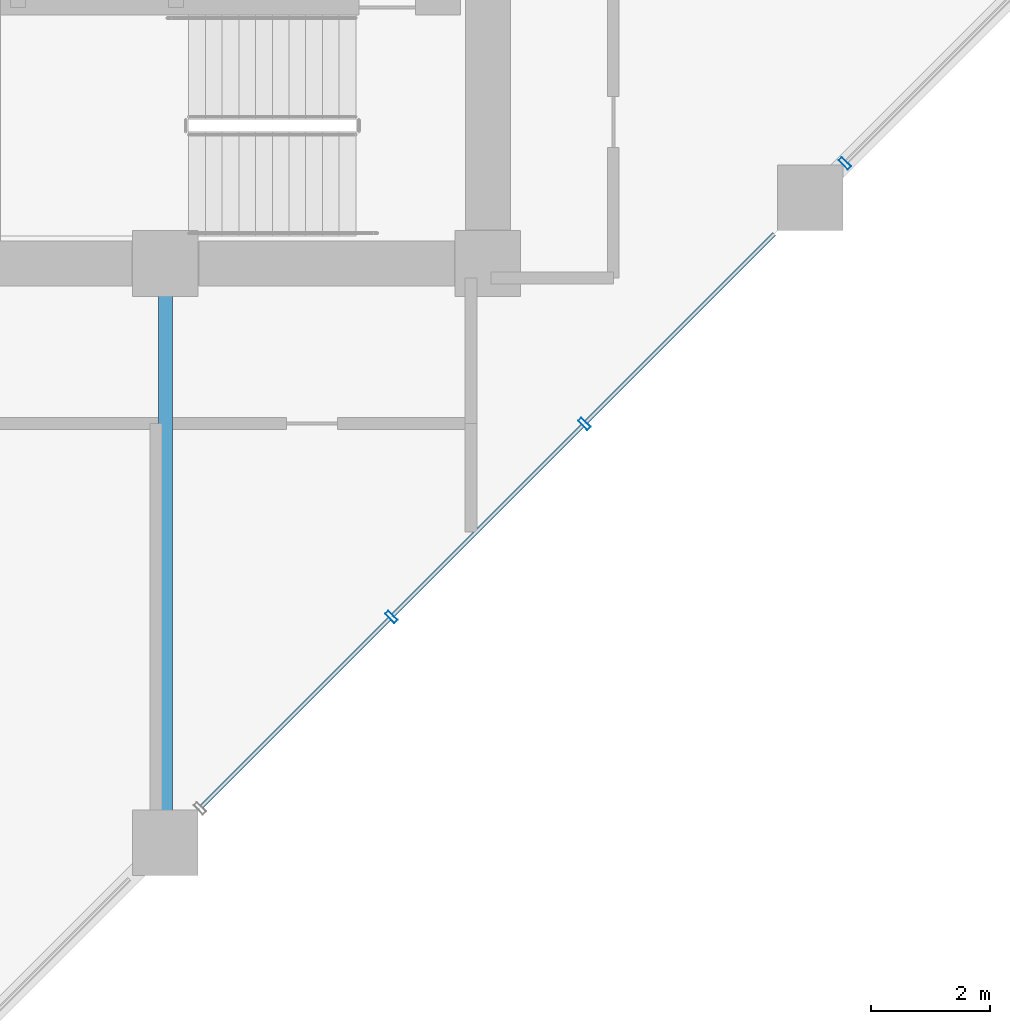
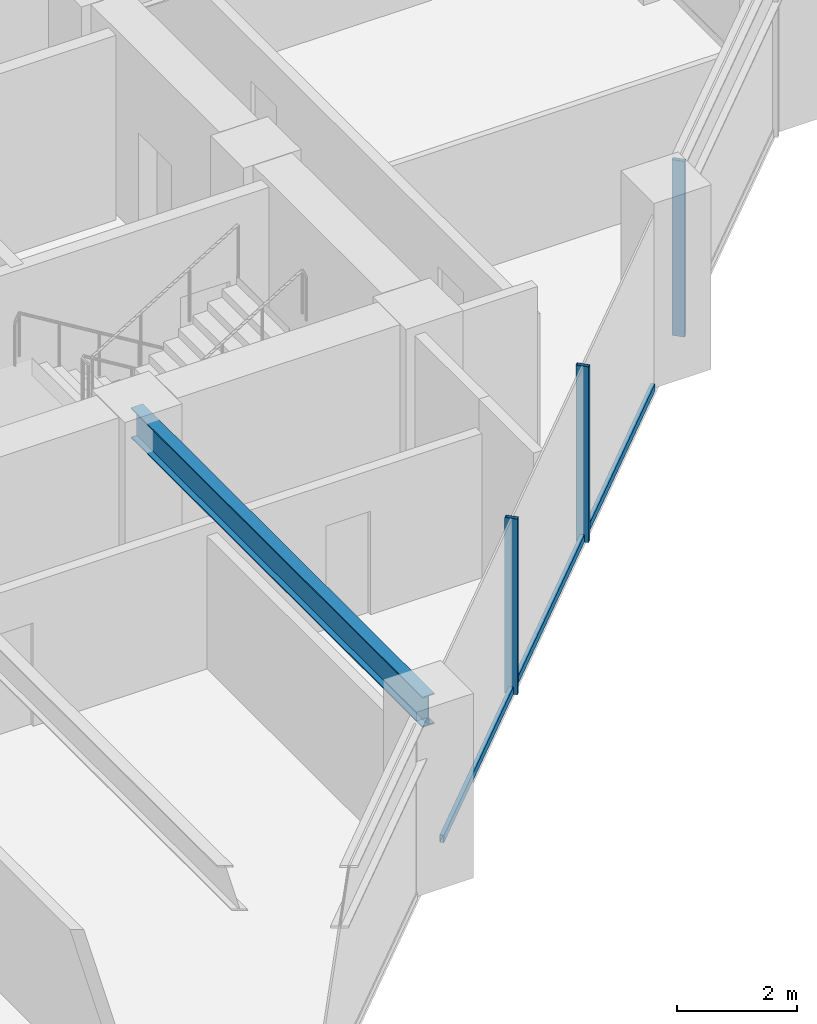
# One storey, part 9 of 29: 6 members, 1 beam, 1 element without a shape of its own.
"""IFC4 building model written with IfcOpenShell, lengths in metres."""

import ifcopenshell
import ifcopenshell.guid

model = None  # the IFC model being written
_history = None  # IfcOwnerHistory: only IFC2X3 demands one
_inside = {}  # id of a spatial element -> (the spatial element, [elements in it])
_under = {}  # id of a project, library or spatial element -> (it, [spatial elements below it])
_declared = {}  # id of a project -> (the project, [libraries it declares])
_typed = {}  # id of a type object -> (the type object, [elements of that type])
_made_of = {}  # id of a material, layer set ... -> (it, [elements and type objects made of it])


def new_model(schema):
    """Start an empty IFC model of exactly this schema.

    Asked for "IFC4X3", IfcOpenShell would pick the latest addendum, in which some entities
    have other attributes; the version numbers below select the first issue.
    IFC2X3 requires an IfcOwnerHistory on every rooted entity: one is made here for all.
    """
    global model, _history
    if schema == "IFC4X3":
        model = ifcopenshell.file(schema_version=(4, 3, 0, 0))
    else:
        model = ifcopenshell.file(schema=schema)
    _inside.clear()
    _under.clear()
    _declared.clear()
    _typed.clear()
    _made_of.clear()
    _history = None
    if model.schema == "IFC2X3":
        org = make("IfcOrganization", Name="unknown")
        user = make(
            "IfcPersonAndOrganization",
            ThePerson=make("IfcPerson", FamilyName="unknown"),
            TheOrganization=org,
        )
        app = make(
            "IfcApplication",
            ApplicationDeveloper=org,
            Version="unknown",
            ApplicationFullName="unknown",
            ApplicationIdentifier="unknown",
        )
        _history = make(
            "IfcOwnerHistory",
            OwningUser=user,
            OwningApplication=app,
            ChangeAction="ADDED",
            CreationDate=0,
        )
    return model


def make(cls, **values):
    """One entity of the class cls with the attributes given. An attribute that is None is left unset."""
    return model.create_entity(
        cls, **{name: value for name, value in values.items() if value is not None}
    )


def rooted(cls, **values):
    """An entity with a GlobalId (a new one), such as an element, a storey or a relation."""
    return make(cls, GlobalId=ifcopenshell.guid.new(), OwnerHistory=_history, **values)


def si_unit(unit_type, name, prefix=None):
    """IfcSIUnit, for example si_unit("LENGTHUNIT", "METRE", prefix="MILLI")."""
    return make("IfcSIUnit", UnitType=unit_type, Prefix=prefix, Name=name)


def assignment(units):
    """IfcUnitAssignment: the units of a project."""
    return None if units is None else make("IfcUnitAssignment", Units=units)


def point(xyz):
    """IfcCartesianPoint."""
    return None if xyz is None else make("IfcCartesianPoint", Coordinates=xyz)


def direction(xyz):
    """IfcDirection."""
    return None if xyz is None else make("IfcDirection", DirectionRatios=xyz)


def frame(location, z_axis=None, x_axis=None):
    """IfcAxis2Placement3D, a coordinate frame: its origin and axes. An axis left out is left unset."""
    return make(
        "IfcAxis2Placement3D",
        Location=point(location),
        Axis=direction(z_axis),
        RefDirection=direction(x_axis),
    )


def frame_2d(location, x_axis=None):
    """IfcAxis2Placement2D, a coordinate frame in the plane: its origin and x axis."""
    return make(
        "IfcAxis2Placement2D", Location=point(location), RefDirection=direction(x_axis)
    )


def origin():
    """The frame at (0, 0, 0) with its axes left unset."""
    return frame((0.0, 0.0, 0.0))


def origin_2d():
    """The frame at (0, 0) in the plane with its x axis left unset."""
    return frame_2d((0.0, 0.0))


def place(relative_to, where):
    """IfcLocalPlacement: puts the frame where relative to a parent placement (None: the world)."""
    return make(
        "IfcLocalPlacement", PlacementRelTo=relative_to, RelativePlacement=where
    )


def context(
    kind, dimensions, precision=None, world=None, true_north=None, identifier=None
):
    """IfcGeometricRepresentationContext, for example the 3D "Model" context."""
    return make(
        "IfcGeometricRepresentationContext",
        ContextIdentifier=identifier,
        ContextType=kind,
        CoordinateSpaceDimension=dimensions,
        Precision=precision,
        WorldCoordinateSystem=world,
        TrueNorth=true_north,
    )


def subcontext(parent, identifier, kind, view, scale=None):
    """IfcGeometricRepresentationSubContext, for example "Body" below "Model"."""
    return make(
        "IfcGeometricRepresentationSubContext",
        ContextIdentifier=identifier,
        ContextType=kind,
        ParentContext=parent,
        TargetScale=scale,
        TargetView=view,
    )


def project(units=None, contexts=None):
    """IfcProject with its units and contexts."""
    return rooted(
        "IfcProject",
        Name="project",
        RepresentationContexts=contexts,
        UnitsInContext=assignment(units),
    )


def spatial(cls, under=None, at=None, **own):
    """A site, building, storey or space (cls), placed at a placement, below another one or the project."""
    s = rooted(cls, ObjectPlacement=at, **own)
    if under is not None:
        _under.setdefault(under.id(), (under, []))[1].append(s)
    return s


def profile(cls, at=None, kind="AREA", **sizes):
    """A parametric profile (cls). Its sizes go by their IFC names, for example OverallWidth=200.0."""
    return make(cls, ProfileType=kind, Position=at, **sizes)


def hollow_rectangle(**sizes):
    """IfcRectangleHollowProfileDef."""
    return profile("IfcRectangleHollowProfileDef", **sizes)


def i_section(**sizes):
    """IfcIShapeProfileDef."""
    return profile("IfcIShapeProfileDef", **sizes)


def extrude(swept, where, along, depth):
    """IfcExtrudedAreaSolid: the profile swept, set in the frame where, extruded along a direction by depth."""
    return make(
        "IfcExtrudedAreaSolid",
        SweptArea=swept,
        Position=where,
        ExtrudedDirection=direction(along),
        Depth=depth,
    )


def shape(context_of_items, identifier, shape_type, items):
    """IfcShapeRepresentation: the items that make up one representation, for example the "Body"."""
    return make(
        "IfcShapeRepresentation",
        ContextOfItems=context_of_items,
        RepresentationIdentifier=identifier,
        RepresentationType=shape_type,
        Items=items,
    )


def material(Name=None, Category=None):
    """IfcMaterial."""
    return make("IfcMaterial", Name=Name, Category=Category)


def layer(
    of_material, thickness, ventilated=None, Name=None, Category=None, Priority=None
):
    """IfcMaterialLayer: one layer of a wall or slab, of a material (None: an air gap)."""
    return make(
        "IfcMaterialLayer",
        Material=of_material,
        LayerThickness=thickness,
        IsVentilated=ventilated,
        Name=Name,
        Category=Category,
        Priority=Priority,
    )


def layer_set(layers, Name=None):
    """IfcMaterialLayerSet."""
    return make("IfcMaterialLayerSet", MaterialLayers=layers, LayerSetName=Name)


def material_profile(
    of_material, cross_section, Name=None, Category=None, Priority=None
):
    """IfcMaterialProfile: a cross section and its material."""
    return make(
        "IfcMaterialProfile",
        Name=Name,
        Material=of_material,
        Profile=cross_section,
        Priority=Priority,
        Category=Category,
    )


def profile_set(profiles, Name=None, composite=None):
    """IfcMaterialProfileSet."""
    return make(
        "IfcMaterialProfileSet",
        Name=Name,
        MaterialProfiles=profiles,
        CompositeProfile=composite,
    )


def made_of(thing, what):
    """Note that an element or type object is made of a material, layer set ...; save() writes the relation."""
    if what is not None:
        _made_of.setdefault(what.id(), (what, []))[1].append(thing)
    return thing


def type_object(cls, material=None, **own):
    """A type object (cls), such as IfcWallType, which elements share."""
    return made_of(rooted(cls, **own), material)


def element(
    cls,
    number,
    at=None,
    inside=None,
    cuts=None,
    type_object=None,
    material=None,
    context=None,
    identifier="Body",
    shape_type=None,
    held_by="IfcProductDefinitionShape",
    body=None,
    shapes=None,
    **own,
):
    """One element of the class cls, such as IfcWall. Its Tag is "e" and its number.

    at: its placement. inside: the storey or other place that contains it. cuts: it is an
    opening in that element (IfcRelVoidsElement). A single representation is given by context,
    identifier, shape_type and body (its items); several are given by shapes. held_by: the class
    of the entity that holds the representations. save() writes the other relations.
    """
    e = rooted(cls, Tag="e%d" % number, ObjectPlacement=at, **own)
    if body is not None:
        shapes = [shape(context, identifier, shape_type, body)]
    if shapes is not None:
        e.Representation = make(held_by, Representations=shapes)
    if inside is not None:
        _inside.setdefault(inside.id(), (inside, []))[1].append(e)
    if cuts is not None:
        rooted(
            "IfcRelVoidsElement", RelatingBuildingElement=cuts, RelatedOpeningElement=e
        )
    if type_object is not None:
        _typed.setdefault(type_object.id(), (type_object, []))[1].append(e)
    return made_of(e, material)


def aggregate(whole, parts):
    """IfcRelAggregates: a whole, such as a stair, and the parts it consists of."""
    return rooted("IfcRelAggregates", RelatingObject=whole, RelatedObjects=parts)


def save(model, path):
    """Write the relations noted so far, then the file.

    IfcRelAggregates (storeys below a building ...), IfcRelContainedInSpatialStructure (elements
    in a storey), IfcRelDefinesByType, IfcRelAssociatesMaterial and IfcRelDeclares: one each for
    every whole, place, type object, material and project.
    """
    for whole, parts in _under.values():
        aggregate(whole, parts)
    for where, things in _inside.values():
        rooted(
            "IfcRelContainedInSpatialStructure",
            RelatedElements=things,
            RelatingStructure=where,
        )
    for kind, things in _typed.values():
        rooted("IfcRelDefinesByType", RelatedObjects=things, RelatingType=kind)
    for what, things in _made_of.values():
        rooted("IfcRelAssociatesMaterial", RelatedObjects=things, RelatingMaterial=what)
    for by, libraries in _declared.values():
        rooted("IfcRelDeclares", RelatingContext=by, RelatedDefinitions=libraries)
    model.write(path)


model = new_model("IFC4")

# Units and contexts
model_context = context("Model", 3, precision=1e-05, world=origin(), true_north=direction((0.0, 1.0)))
body_context = subcontext(model_context, "Body", "Model", "MODEL_VIEW")
ifc_project = project(units=[si_unit("LENGTHUNIT", "METRE"), si_unit("AREAUNIT", "SQUARE_METRE"), si_unit("VOLUMEUNIT", "CUBIC_METRE"), si_unit("PLANEANGLEUNIT", "RADIAN"), si_unit("MASSUNIT", "GRAM", prefix="KILO")], contexts=[model_context])

# Site, building, storey
site_placement = place(None, origin())
site = spatial("IfcSite", under=ifc_project, at=site_placement, CompositionType="ELEMENT")
building_placement = place(site_placement, origin())
building = spatial("IfcBuilding", under=site, at=building_placement, Name="Surkhivell Harbour Commons", CompositionType="ELEMENT")
storey_placement = place(building_placement, frame((0.0, 0.0, 90.75)))
storey = spatial("IfcBuildingStorey", under=building, at=storey_placement, Name="L23", CompositionType="ELEMENT", Elevation=90.75)

# Beam
ifc_material_1 = material(Name="Steel S355", Category="steel")
ifc_material_profile_1 = material_profile(ifc_material_1, i_section(OverallWidth=0.22998046875, OverallDepth=0.616943359375, WebThickness=0.01318359375, FlangeThickness=0.022216796875, at=origin_2d()), Name="UB610x229x140")
ifc_profile_set_1 = profile_set([ifc_material_profile_1], Name="Steel S355")
beam_type = type_object("IfcBeamType", Name="BM-GRD-610B", PredefinedType="BEAM", material=ifc_profile_set_1)
beam_placement = place(storey_placement, frame((5.39990234375, -20.5, 3.261474609375), z_axis=(0.0, 1.0, 0.0), x_axis=(-1.0, 0.0, 0.0)))
element("IfcBeam", 1, at=beam_placement, inside=storey, type_object=beam_type, Name="L23 Floor Girder (5.4,-20.5)", PredefinedType="BEAM", context=body_context, shape_type="SweptSolid", body=[
    extrude(i_section(OverallWidth=0.22998046875, OverallDepth=0.616943359375, WebThickness=0.01318359375, FlangeThickness=0.022216796875, at=origin_2d()), origin(), (0.0, 0.0, 1.0), 9.699951171875),
])

# Curtain wall, members
ifc_material_2 = material(Name="Anodised pale-metal aluminium and insulated glazing", Category="aluminium")
ifc_layer = layer(ifc_material_2, 0.205078125)
ifc_layer_set = layer_set([ifc_layer], Name="Anodised pale-metal aluminium and insulated glazing")
curtain_wall_type = type_object("IfcCurtainWallType", Name="CW-SYS-Z2", PredefinedType="NOTDEFINED", material=ifc_layer_set)
curtain_wall_placement = place(storey_placement, origin())
curtain_wall = element("IfcCurtainWall", 2, at=curtain_wall_placement, inside=storey, type_object=curtain_wall_type, Name="L23 Curtain Wall CW-L23-E01", PredefinedType="NOTDEFINED")
ifc_material_3 = material(Name="Anodised pale-metal aluminium alloy 6063-T6", Category="aluminium")
ifc_material_profile_2 = material_profile(ifc_material_3, hollow_rectangle(XDim=0.074951171875, YDim=0.219970703125, WallThickness=0.00390625, at=origin_2d()), Name="ALU-MULL-75x220")
ifc_profile_set_2 = profile_set([ifc_material_profile_2], Name="Anodised pale-metal aluminium alloy 6063-T6")
member_type_1 = type_object("IfcMemberType", Name="CWM-220", PredefinedType="MULLION", material=ifc_profile_set_2)
member_1_placement = place(storey_placement, frame((9.183837890625, -16.716064453125, 0.0), z_axis=(0.0, 0.0, 1.0), x_axis=(0.707106781187, 0.707106781187, 0.0)))
member_1 = element("IfcMember", 3, at=member_1_placement, type_object=member_type_1, Name="CW-Z2 mullion 3", PredefinedType="MULLION", context=body_context, shape_type="SweptSolid", body=[
    extrude(hollow_rectangle(XDim=0.074951171875, YDim=0.219970703125, WallThickness=0.00390625, at=origin_2d()), origin(), (0.0, 0.0, 1.0), 3.570068359375),
])
member_2_placement = place(storey_placement, frame((12.416015625, -13.48388671875, 0.0), z_axis=(0.0, 0.0, 1.0), x_axis=(0.707106781187, 0.707106781187, 0.0)))
member_2 = element("IfcMember", 4, at=member_2_placement, type_object=member_type_1, Name="CW-Z2 mullion 4", PredefinedType="MULLION", context=body_context, shape_type="SweptSolid", body=[
    extrude(hollow_rectangle(XDim=0.074951171875, YDim=0.219970703125, WallThickness=0.00390625, at=origin_2d()), origin(), (0.0, 0.0, 1.0), 3.570068359375),
])
member_3_placement = place(storey_placement, frame((16.7783203125, -9.121826171875, 0.0), z_axis=(0.0, 0.0, 1.0), x_axis=(0.707106781187, 0.707106781187, 0.0)))
member_3 = element("IfcMember", 5, at=member_3_placement, type_object=member_type_1, Name="CW-Z2 mullion 5", PredefinedType="MULLION", context=body_context, shape_type="SweptSolid", body=[
    extrude(hollow_rectangle(XDim=0.074951171875, YDim=0.219970703125, WallThickness=0.00390625, at=origin_2d()), origin(), (0.0, 0.0, 1.0), 3.570068359375),
])
ifc_material_profile_3 = material_profile(ifc_material_3, hollow_rectangle(XDim=0.074951171875, YDim=0.14990234375, WallThickness=0.00341796875, at=origin_2d()), Name="ALU-TRAN-75x150")
ifc_profile_set_3 = profile_set([ifc_material_profile_3], Name="Anodised pale-metal aluminium alloy 6063-T6")
member_type_2 = type_object("IfcMemberType", Name="CWT-150", PredefinedType="USERDEFINED", material=ifc_profile_set_3)
member_4_placement = place(storey_placement, frame((6.004638671875, -19.895263671875, 0.074951171875), z_axis=(0.707134159244, 0.707079402069, 0.0), x_axis=(-0.707079402069, 0.707134159244, 0.0)))
member_4 = element("IfcMember", 6, at=member_4_placement, type_object=member_type_2, Name="CW-Z2 transom 2.1", ObjectType="TRANSOM", PredefinedType="USERDEFINED", context=body_context, shape_type="SweptSolid", body=[
    extrude(hollow_rectangle(XDim=0.074951171875, YDim=0.14990234375, WallThickness=0.00341796875, at=origin_2d()), origin(), (0.0, 0.0, 1.0), 4.45849609375),
])
member_5_placement = place(storey_placement, frame((9.21044921875, -16.689697265625, 0.074951171875), z_axis=(0.707106781187, 0.707106781187, 0.0), x_axis=(-0.707106781187, 0.707106781187, 0.0)))
member_5 = element("IfcMember", 7, at=member_5_placement, type_object=member_type_2, Name="CW-Z2 transom 3.1", ObjectType="TRANSOM", PredefinedType="USERDEFINED", context=body_context, shape_type="SweptSolid", body=[
    extrude(hollow_rectangle(XDim=0.074951171875, YDim=0.14990234375, WallThickness=0.00341796875, at=origin_2d()), origin(), (0.0, 0.0, 1.0), 4.49609375),
])
member_6_placement = place(storey_placement, frame((12.442626953125, -13.457275390625, 0.074951171875), z_axis=(0.707106781187, 0.707106781187, 0.0), x_axis=(-0.707106781187, 0.707106781187, 0.0)))
member_6 = element("IfcMember", 8, at=member_6_placement, type_object=member_type_2, Name="CW-Z2 transom 4.1", ObjectType="TRANSOM", PredefinedType="USERDEFINED", context=body_context, shape_type="SweptSolid", body=[
    extrude(hollow_rectangle(XDim=0.074951171875, YDim=0.14990234375, WallThickness=0.00341796875, at=origin_2d()), origin(), (0.0, 0.0, 1.0), 4.45849609375),
])
aggregate(curtain_wall, [member_1, member_2, member_4, member_5, member_6, member_3])

save(model, "model.ifc")
